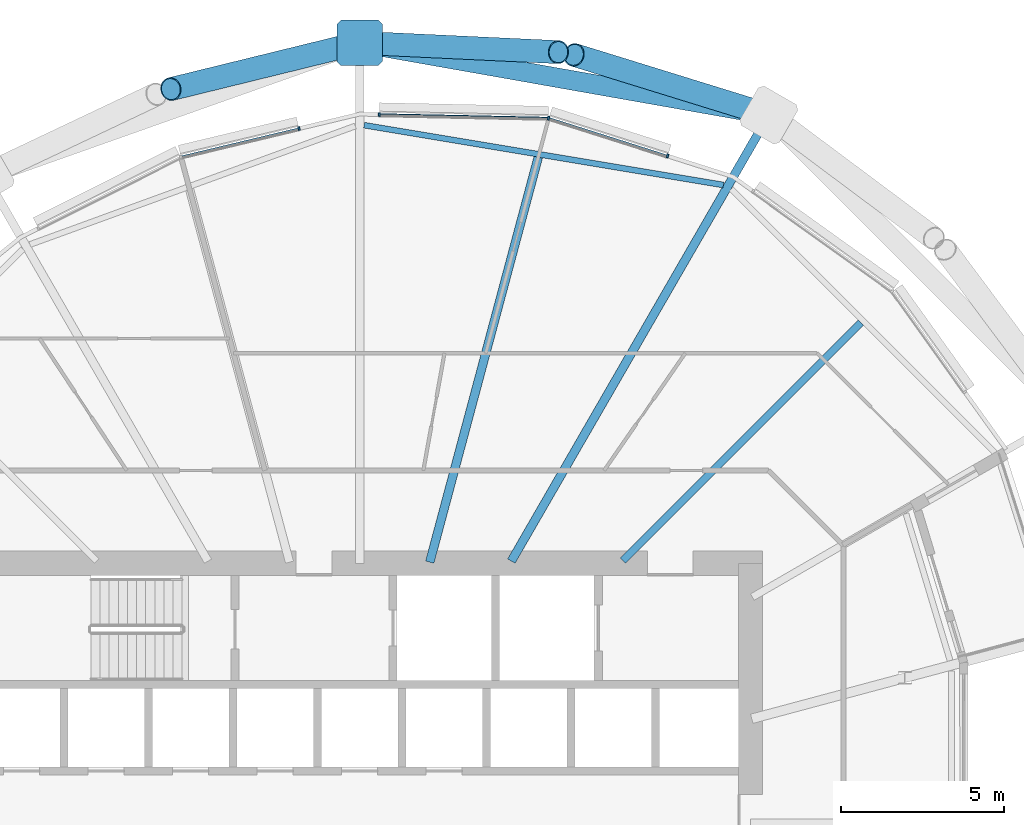
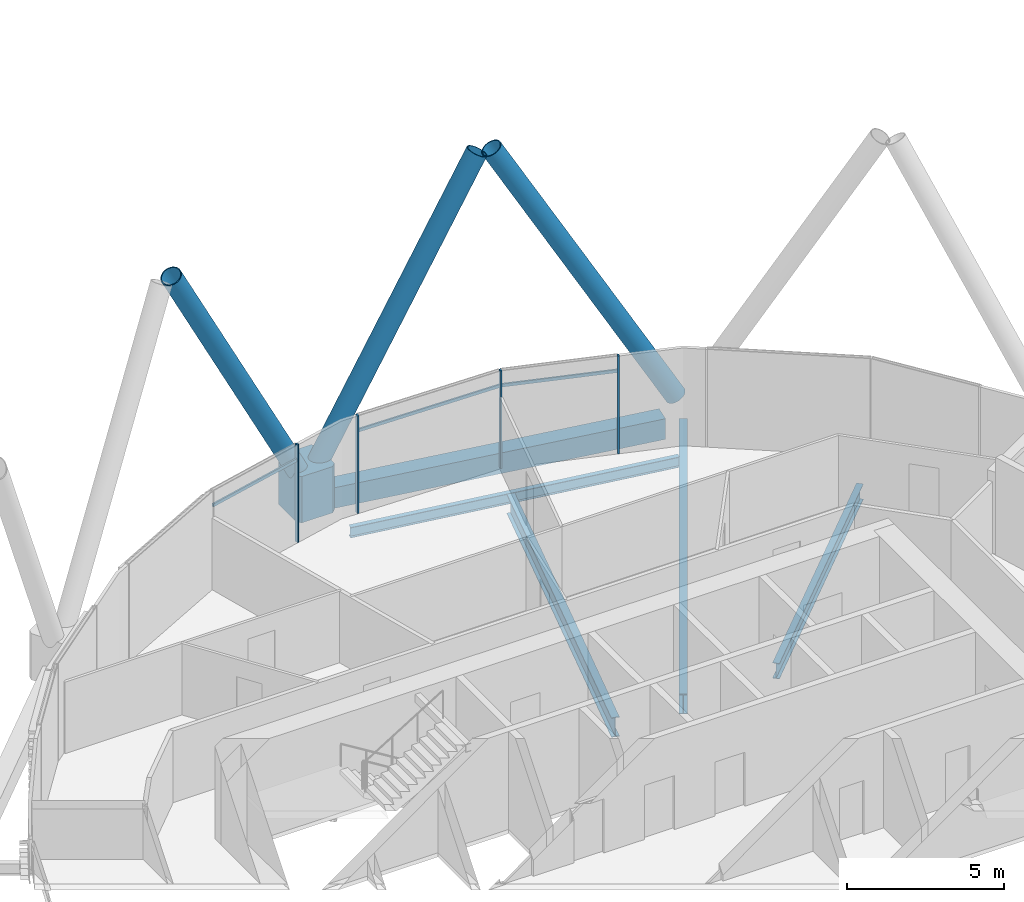
# One storey, part 22 of 39: 11 members, 5 beams, 1 element without a shape of its own.
"""IFC4 building model written with IfcOpenShell, lengths in metres."""

from ifc_helpers import new_model, si_unit, direction, frame, origin, origin_2d, place, context, subcontext, project, spatial, polyline, rectangle, hollow_rectangle, hollow_circle, i_section, outline, extrude, material, material_profile, profile_set, type_object, element, aggregate, save


model = new_model("IFC4")

# Units and contexts
model_context = context("Model", 3, precision=1e-05, world=origin(), true_north=direction((0.0, 1.0)))
body_context = subcontext(model_context, "Body", "Model", "MODEL_VIEW")
ifc_project = project(units=[si_unit("LENGTHUNIT", "METRE"), si_unit("AREAUNIT", "SQUARE_METRE"), si_unit("VOLUMEUNIT", "CUBIC_METRE"), si_unit("PLANEANGLEUNIT", "RADIAN"), si_unit("MASSUNIT", "GRAM", prefix="KILO")], contexts=[model_context])

# Site, building, storey
site_placement = place(None, origin())
site = spatial("IfcSite", under=ifc_project, at=site_placement, CompositionType="ELEMENT")
building_placement = place(site_placement, origin())
building = spatial("IfcBuilding", under=site, at=building_placement, Name="Rimbun Link Towers", CompositionType="ELEMENT")
storey_placement = place(building_placement, frame((0.0, 0.0, 115.800048828125)))
storey = spatial("IfcBuildingStorey", under=building, at=storey_placement, Name="L28", CompositionType="ELEMENT", Elevation=115.800048828125)

# Curtain wall, members
ifc_material_1 = material(Name="Aluminium 6063-T6 and low-iron glass", Category="aluminium")
curtain_wall_type = type_object("IfcCurtainWallType", Name="CW1-Z2 unitised vision wall (zone 2)", PredefinedType="NOTDEFINED", material=ifc_material_1)
curtain_wall_placement = place(storey_placement, origin())
curtain_wall = element("IfcCurtainWall", 1, at=curtain_wall_placement, inside=storey, type_object=curtain_wall_type, Name="CW1 L28 T2", PredefinedType="NOTDEFINED")
ifc_material_2 = material(Name="Aluminium 6063-T6", Category="aluminium")
ifc_material_profile_1 = material_profile(ifc_material_2, rectangle(XDim=0.1201171875, YDim=0.06005859375, at=origin_2d()), Name="MULLION 60X120")
ifc_profile_set_1 = profile_set([ifc_material_profile_1], Name="Aluminium 6063-T6")
member_type_1 = type_object("IfcMemberType", Name="CW1 mullion 60X120", PredefinedType="MULLION", material=ifc_profile_set_1)
member_1_placement = place(storey_placement, frame((37.5498046875, 21.66748046875, 0.0), z_axis=(0.0, 0.0, 1.0), x_axis=(0.163751300484, 0.98650165311, 0.0)))
member_1 = element("IfcMember", 2, at=member_1_placement, type_object=member_type_1, Name="CW1 mullion", PredefinedType="MULLION", context=body_context, shape_type="SweptSolid", body=[
    extrude(rectangle(XDim=0.1201171875, YDim=0.06005859375, at=origin_2d()), origin(), (0.0, 0.0, 1.0), 3.800048828125),
])
member_2_placement = place(storey_placement, frame((41.205322265625, 20.505615234375, 0.0), z_axis=(0.0, 0.0, 1.0), x_axis=(0.303073433186, 0.952967205153, 0.0)))
member_2 = element("IfcMember", 3, at=member_2_placement, type_object=member_type_1, Name="CW1 mullion", PredefinedType="MULLION", context=body_context, shape_type="SweptSolid", body=[
    extrude(rectangle(XDim=0.1201171875, YDim=0.06005859375, at=origin_2d()), origin(), (0.0, 0.0, 1.0), 3.800048828125),
])
member_3_placement = place(storey_placement, frame((32.35107421875, 21.777587890625, 0.0), z_axis=(0.0, 0.0, 1.0), x_axis=(0.02106649948, 0.999778076675, 0.0)))
member_3 = element("IfcMember", 4, at=member_3_placement, type_object=member_type_1, Name="CW1 mullion", PredefinedType="MULLION", context=body_context, shape_type="SweptSolid", body=[
    extrude(rectangle(XDim=0.1201171875, YDim=0.06005859375, at=origin_2d()), origin(), (0.0, 0.0, 1.0), 3.800048828125),
])
member_4_placement = place(storey_placement, frame((29.88818359375, 21.3466796875, 0.0), z_axis=(0.0, 0.0, 1.0), x_axis=(-0.232603182737, 0.972571724543, 0.0)))
member_4 = element("IfcMember", 5, at=member_4_placement, type_object=member_type_1, Name="CW1 mullion", PredefinedType="MULLION", context=body_context, shape_type="SweptSolid", body=[
    extrude(rectangle(XDim=0.1201171875, YDim=0.06005859375, at=origin_2d()), origin(), (0.0, 0.0, 1.0), 3.800048828125),
])
ifc_material_3 = material(Name="Aluminium 6063-T6", Category="aluminium")
ifc_material_profile_2 = material_profile(ifc_material_3, rectangle(XDim=0.06005859375, YDim=0.1201171875, at=origin_2d()), Name="TRANSOM 60X120")
ifc_profile_set_2 = profile_set([ifc_material_profile_2], Name="Aluminium 6063-T6")
member_type_2 = type_object("IfcMemberType", Name="CW1 transom 60X120", PredefinedType="USERDEFINED", material=ifc_profile_set_2)
member_5_placement = place(storey_placement, frame((37.586181640625, 21.654541015625, 3.199951171875), z_axis=(0.952960668818, -0.303093984907, 0.0), x_axis=(0.303093984907, 0.952960668818, 0.0)))
member_5 = element("IfcMember", 6, at=member_5_placement, type_object=member_type_2, Name="CW1 transom", ObjectType="TRANSOM", PredefinedType="USERDEFINED", context=body_context, shape_type="SweptSolid", body=[
    extrude(rectangle(XDim=0.06005859375, YDim=0.1201171875, at=origin_2d()), origin(), (0.0, 0.0, 1.0), 3.767333984375),
])
member_6_placement = place(storey_placement, frame((32.381103515625, 21.77490234375, 3.199951171875), z_axis=(0.999778846236, -0.02102994575, 0.0), x_axis=(0.02102994575, 0.999778846236, 0.0)))
member_6 = element("IfcMember", 7, at=member_6_placement, type_object=member_type_2, Name="CW1 transom", ObjectType="TRANSOM", PredefinedType="USERDEFINED", context=body_context, shape_type="SweptSolid", body=[
    extrude(rectangle(XDim=0.06005859375, YDim=0.1201171875, at=origin_2d()), origin(), (0.0, 0.0, 1.0), 5.13134765625),
])
member_7_placement = place(storey_placement, frame((26.293701171875, 20.485107421875, 3.199951171875), z_axis=(0.972571359766, 0.232604707954, 0.0), x_axis=(-0.232604707954, 0.972571359766, 0.0)))
member_7 = element("IfcMember", 8, at=member_7_placement, type_object=member_type_2, Name="CW1 transom", ObjectType="TRANSOM", PredefinedType="USERDEFINED", context=body_context, shape_type="SweptSolid", body=[
    extrude(rectangle(XDim=0.06005859375, YDim=0.1201171875, at=origin_2d()), origin(), (0.0, 0.0, 1.0), 3.666259765625),
])
aggregate(curtain_wall, [member_1, member_2, member_3, member_4, member_5, member_6, member_7])

# Members
ifc_material_4 = material(Name="Steel S460NH", Category="steel")
ifc_material_profile_3 = material_profile(ifc_material_4, hollow_circle(Radius=0.355712890625, WallThickness=0.031982421875, at=origin_2d()), Name="Diagrid diagonal CHS 711x32")
ifc_profile_set_3 = profile_set([ifc_material_profile_3], Name="Steel S460NH")
member_type_3 = type_object("IfcMemberType", Name="Diagrid diagonal CHS 711x32", PredefinedType="BRACE", material=ifc_profile_set_3)
member_8_placement = place(storey_placement, frame((44.07666015625, 21.833740234375, 0.43408203125), z_axis=(-0.473663151536, 0.146419249453, 0.868449550789), x_axis=(-0.295332553592, -0.95539451683, 0.0)))
element("IfcMember", 9, at=member_8_placement, inside=storey, type_object=member_type_3, Name="Diagrid diagonal T2 L28-L31 01b", PredefinedType="BRACE", context=body_context, shape_type="SweptSolid", body=[
    extrude(hollow_circle(Radius=0.355712890625, WallThickness=0.031982421875, at=origin_2d()), origin(), (0.0, 0.0, 1.0), 12.126953125),
])
member_9_placement = place(storey_placement, frame((31.9931640625, 23.968994140625, 0.436767578125), z_axis=(0.486238632497, -0.022832955784, 0.87352770328), x_axis=(0.04690664524, 0.998899277521, 0.0)))
element("IfcMember", 10, at=member_9_placement, inside=storey, type_object=member_type_3, Name="Diagrid diagonal T2 L28-L31 03a", PredefinedType="BRACE", context=body_context, shape_type="SweptSolid", body=[
    extrude(hollow_circle(Radius=0.355712890625, WallThickness=0.031982421875, at=origin_2d()), origin(), (0.0, 0.0, 1.0), 12.05029296875),
])
member_10_placement = place(storey_placement, frame((31.517822265625, 23.92333984375, 0.43896484375), z_axis=(-0.464481646876, -0.113929845033, 0.878223656096), x_axis=(0.238222286103, -0.971210658098, 0.0)))
element("IfcMember", 11, at=member_10_placement, inside=storey, type_object=member_type_3, Name="Diagrid diagonal T2 L28-L31 03b", PredefinedType="BRACE", context=body_context, shape_type="SweptSolid", body=[
    extrude(hollow_circle(Radius=0.355712890625, WallThickness=0.031982421875, at=origin_2d()), origin(), (0.0, 0.0, 1.0), 11.98095703125),
])
ifc_material_5 = material(Name="Cast steel G20Mn5+QT, Rp0.2 300 MPa", Category="steel")
ifc_material_profile_4 = material_profile(ifc_material_5, outline(polyline([(0.699951171875, -0.570068359375), (0.699951171875, 0.570068359375), (0.570068359375, 0.699951171875), (-0.570068359375, 0.699951171875), (-0.699951171875, 0.570068359375), (-0.699951171875, -0.570068359375), (-0.570068359375, -0.699951171875), (0.570068359375, -0.699951171875), (0.699951171875, -0.570068359375)])), Name="NODE 1400x1400")
ifc_profile_set_4 = profile_set([ifc_material_profile_4], Name="Cast steel G20Mn5+QT, Rp0.2 300 MPa")
member_type_4 = type_object("IfcMemberType", Name="Diagrid node cast 1400", PredefinedType="USERDEFINED", material=ifc_profile_set_4)
member_11_placement = place(storey_placement, frame((31.75, 23.980224609375, -0.900146484375), z_axis=(0.0, 0.0, 1.0), x_axis=(0.0, 1.0, 0.0)))
element("IfcMember", 12, at=member_11_placement, inside=storey, type_object=member_type_4, Name="Diagrid node L28 03", ObjectType="Diagrid node", PredefinedType="USERDEFINED", context=body_context, shape_type="SweptSolid", body=[
    extrude(outline(polyline([(0.699951171875, -0.570068359375), (0.699951171875, 0.570068359375), (0.570068359375, 0.699951171875), (-0.570068359375, 0.699951171875), (-0.699951171875, 0.570068359375), (-0.699951171875, -0.570068359375), (-0.570068359375, -0.699951171875), (0.570068359375, -0.699951171875), (0.699951171875, -0.570068359375)])), origin(), (0.0, 0.0, 1.0), 1.800048828125),
])

# Beams
ifc_material_6 = material(Name="Steel S355J2", Category="steel")
ifc_material_profile_5 = material_profile(ifc_material_6, hollow_rectangle(XDim=0.60009765625, YDim=0.800048828125, WallThickness=0.0400390625, at=origin_2d()), Name="Exoskeleton ring girder BOX 600x800x40")
ifc_profile_set_5 = profile_set([ifc_material_profile_5], Name="Steel S355J2")
beam_type_1 = type_object("IfcBeamType", Name="Exoskeleton ring girder BOX 600x800x40", PredefinedType="BEAM", material=ifc_profile_set_5)
beam_1_placement = place(storey_placement, frame((43.6240234375, 21.88232421875, -0.56005859375), z_axis=(-0.984749133137, 0.173980299994, 0.0), x_axis=(-0.173980299994, -0.984749133137, 0.0)))
element("IfcBeam", 13, at=beam_1_placement, inside=storey, type_object=beam_type_1, Name="Exoskeleton ring girder L28 00", PredefinedType="BEAM", context=body_context, shape_type="SweptSolid", body=[
    extrude(hollow_rectangle(XDim=0.60009765625, YDim=0.800048828125, WallThickness=0.0400390625, at=origin_2d()), origin(), (0.0, 0.0, 1.0), 11.358154296875),
])
ifc_material_7 = material(Name="Steel S355J2", Category="steel")
ifc_material_profile_6 = material_profile(ifc_material_7, i_section(OverallWidth=0.177978515625, OverallDepth=0.406494140625, WebThickness=0.0078125, FlangeThickness=0.0126953125, at=origin_2d()), Name="UB 406x178x60")
ifc_profile_set_6 = profile_set([ifc_material_profile_6], Name="Steel S355J2")
beam_type_2 = type_object("IfcBeamType", Name="UB 406x178x60", PredefinedType="BEAM", material=ifc_profile_set_6)
beam_2_placement = place(storey_placement, frame((42.9189453125, 19.61376953125, -0.36328125), z_axis=(-0.986422222025, 0.164229107941, 0.0), x_axis=(-0.164229107941, -0.986422222025, 0.0)))
element("IfcBeam", 14, at=beam_2_placement, inside=storey, type_object=beam_type_2, Name="Edge beam T2 L28 01-03", PredefinedType="BEAM", context=body_context, shape_type="SweptSolid", body=[
    extrude(i_section(OverallWidth=0.177978515625, OverallDepth=0.406494140625, WebThickness=0.0078125, FlangeThickness=0.0126953125, at=origin_2d()), origin(), (0.0, 0.0, 1.0), 11.1865234375),
])
ifc_material_8 = material(Name="Steel S355J2", Category="steel")
ifc_material_profile_7 = material_profile(ifc_material_8, i_section(OverallWidth=0.2275390625, OverallDepth=0.6025390625, WebThickness=0.010498046875, FlangeThickness=0.014892578125, at=origin_2d()), Name="UB 610x229x101")
ifc_profile_set_7 = profile_set([ifc_material_profile_7], Name="Steel S355J2")
beam_type_3 = type_object("IfcBeamType", Name="UB 610x229x101", PredefinedType="BEAM", material=ifc_profile_set_7)
beam_3_placement = place(storey_placement, frame((39.831298828125, 8.081298828125, -0.46142578125), z_axis=(0.707106781187, 0.707106781187, 0.0), x_axis=(-0.707106781187, 0.707106781187, 0.0)))
element("IfcBeam", 15, at=beam_3_placement, inside=storey, type_object=beam_type_3, Name="Radial beam T2 L28 00", PredefinedType="BEAM", context=body_context, shape_type="SweptSolid", body=[
    extrude(i_section(OverallWidth=0.2275390625, OverallDepth=0.6025390625, WebThickness=0.010498046875, FlangeThickness=0.014892578125, at=origin_2d()), origin(), (0.0, 0.0, 1.0), 10.33154296875),
])
ifc_material_9 = material(Name="Steel S355J2", Category="steel")
ifc_material_profile_8 = material_profile(ifc_material_9, i_section(OverallWidth=0.2666015625, OverallDepth=0.76220703125, WebThickness=0.014404296875, FlangeThickness=0.021484375, at=origin_2d()), Name="UB 762x267x173")
ifc_profile_set_8 = profile_set([ifc_material_profile_8], Name="Steel S355J2")
beam_type_4 = type_object("IfcBeamType", Name="UB 762x267x173", PredefinedType="BEAM", material=ifc_profile_set_8)
beam_4_placement = place(storey_placement, frame((36.40771484375, 8.0673828125, -0.541259765625), z_axis=(0.500004482496, 0.866022815799, 0.0), x_axis=(-0.866022815799, 0.500004482496, 0.0)))
element("IfcBeam", 16, at=beam_4_placement, inside=storey, type_object=beam_type_4, Name="Radial beam T2 L28 01", PredefinedType="BEAM", context=body_context, shape_type="SweptSolid", body=[
    extrude(i_section(OverallWidth=0.2666015625, OverallDepth=0.76220703125, WebThickness=0.014404296875, FlangeThickness=0.021484375, at=origin_2d()), origin(), (0.0, 0.0, 1.0), 15.311279296875),
])
beam_5_placement = place(storey_placement, frame((33.903076171875, 8.035400390625, -0.541259765625), z_axis=(0.258816984012, 0.965926378554, 0.0), x_axis=(-0.965926378554, 0.258816984012, 0.0)))
element("IfcBeam", 17, at=beam_5_placement, inside=storey, type_object=beam_type_4, Name="Radial beam T2 L28 02", PredefinedType="BEAM", context=body_context, shape_type="SweptSolid", body=[
    extrude(i_section(OverallWidth=0.2666015625, OverallDepth=0.76220703125, WebThickness=0.014404296875, FlangeThickness=0.021484375, at=origin_2d()), origin(), (0.0, 0.0, 1.0), 12.872314453125),
])

save(model, "model.ifc")
